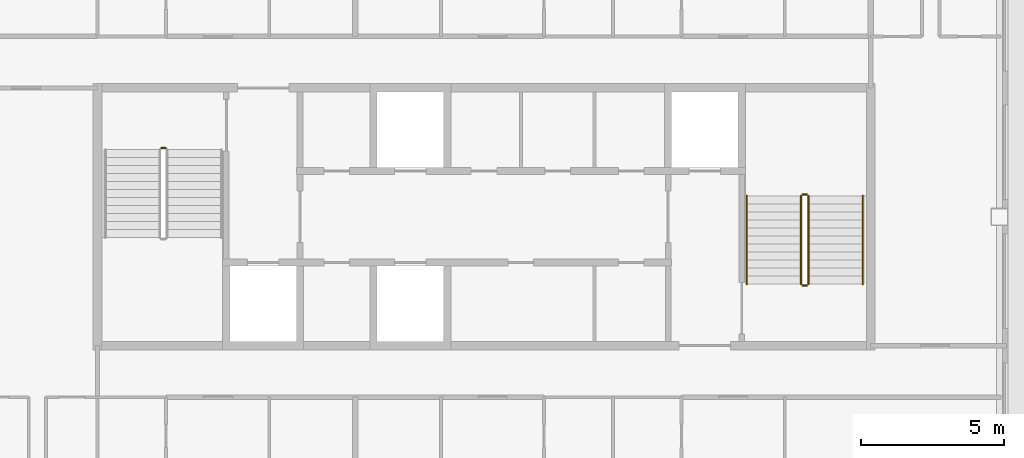
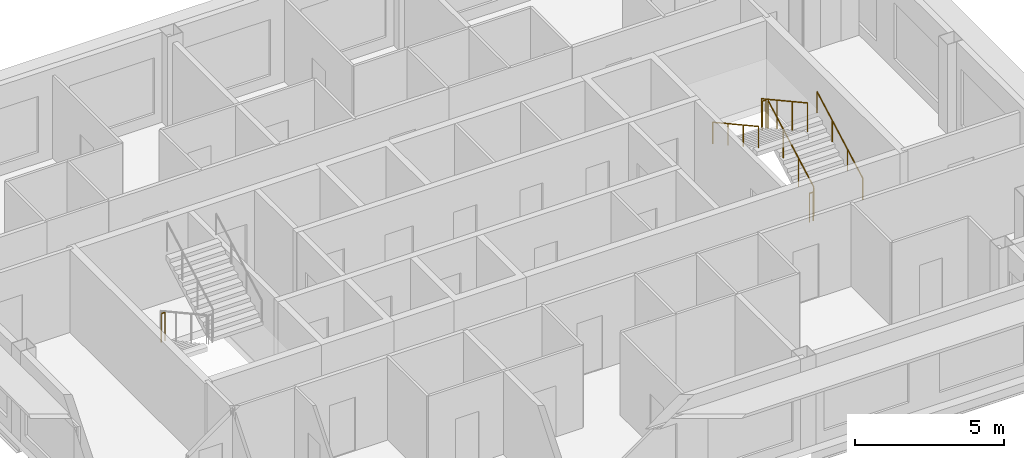
# One storey, part 11 of 11: 7 railings.
"""IFC4 building model written with IfcOpenShell, lengths in metres."""

from ifc_helpers import new_model, si_unit, direction, frame, origin, origin_2d, place, context, subcontext, project, spatial, circle, extrude, material, type_object, element, save


model = new_model("IFC4")

# Units and contexts
model_context = context("Model", 3, precision=1e-05, world=origin(), true_north=direction((0.0, 1.0)))
body_context = subcontext(model_context, "Body", "Model", "MODEL_VIEW")
ifc_project = project(units=[si_unit("LENGTHUNIT", "METRE"), si_unit("AREAUNIT", "SQUARE_METRE"), si_unit("VOLUMEUNIT", "CUBIC_METRE"), si_unit("PLANEANGLEUNIT", "RADIAN"), si_unit("MASSUNIT", "GRAM", prefix="KILO")], contexts=[model_context])

# Site, building, storey
site_placement = place(None, origin())
site = spatial("IfcSite", under=ifc_project, at=site_placement, CompositionType="ELEMENT")
building_placement = place(site_placement, origin())
building = spatial("IfcBuilding", under=site, at=building_placement, Name="Caravel Reach Hotel and Residences", CompositionType="ELEMENT")
storey_placement = place(building_placement, frame((0.0, 0.0, 298.199951171875)))
storey = spatial("IfcBuildingStorey", under=building, at=storey_placement, Name="L76", CompositionType="ELEMENT", Elevation=298.199951171875)

# Railings
ifc_material_1 = material(Name="Steel balustrade with glass infill", Category="steel")
railing_type_1 = type_object("IfcRailingType", Name="Guard 1200", PredefinedType="GUARDRAIL", material=ifc_material_1)
railing_1_placement = place(storey_placement, frame((20.22509765625, 29.39990234375, 0.0)))
element("IfcRailing", 1, at=railing_1_placement, inside=storey, type_object=railing_type_1, Name="L76 ST-A stair guard 4", PredefinedType="GUARDRAIL", context=body_context, shape_type="SweptSolid", body=[
    extrude(circle(Radius=0.02392578125, at=origin_2d()), frame((0.0, 0.0, 1.17578125), z_axis=(1.0, 0.0, 0.0), x_axis=(0.0, 1.0, 0.0)), (0.0, 0.0, 1.0), 0.14990234375),
    extrude(circle(Radius=0.02099609375, at=origin_2d()), origin(), (0.0, 0.0, 1.0), 1.15185546875),
    extrude(circle(Radius=0.02099609375, at=origin_2d()), frame((0.14990234375, 0.0, 0.0)), (0.0, 0.0, 1.0), 1.15185546875),
])
railing_2_placement = place(storey_placement, frame((42.824951171875, 24.64990234375, 0.154296875)))
element("IfcRailing", 2, at=railing_2_placement, inside=storey, type_object=railing_type_1, Name="L76 ST-B stair guard 1", PredefinedType="GUARDRAIL", context=body_context, shape_type="SweptSolid", body=[
    extrude(circle(Radius=0.02392578125, at=origin_2d()), frame((0.0, 0.0, 1.17578125), z_axis=(0.0, 0.876004717809, 0.482302534076), x_axis=(-1.0, 0.0, 0.0)), (0.0, 0.0, 1.0), 3.51611328125),
    extrude(circle(Radius=0.02099609375, at=origin_2d()), origin(), (0.0, 0.0, 1.0), 1.15185546875),
    extrude(circle(Radius=0.02099609375, at=origin_2d()), frame((0.0, 1.026611328125, 0.565185546875)), (0.0, 0.0, 1.0), 1.15185546875),
    extrude(circle(Radius=0.02099609375, at=origin_2d()), frame((0.0, 2.053466796875, 1.130615234375)), (0.0, 0.0, 1.0), 1.15185546875),
    extrude(circle(Radius=0.02099609375, at=origin_2d()), frame((0.0, 3.080078125, 1.69580078125)), (0.0, 0.0, 1.0), 1.15185546875),
])
railing_3_placement = place(storey_placement, frame((42.77490234375, 27.780029296875, 1.85009765625)))
element("IfcRailing", 3, at=railing_3_placement, inside=storey, type_object=railing_type_1, Name="L76 ST-B stair guard 2", PredefinedType="GUARDRAIL", context=body_context, shape_type="SweptSolid", body=[
    extrude(circle(Radius=0.02392578125, at=origin_2d()), frame((0.0, 0.0, 1.17578125), z_axis=(-1.0, 0.0, 0.0), x_axis=(0.0, -1.0, 0.0)), (0.0, 0.0, 1.0), 0.14990234375),
    extrude(circle(Radius=0.02099609375, at=origin_2d()), origin(), (0.0, 0.0, 1.0), 1.15185546875),
    extrude(circle(Radius=0.02099609375, at=origin_2d()), frame((-0.14990234375, 0.0, 0.0)), (0.0, 0.0, 1.0), 1.15185546875),
])
railing_4_placement = place(storey_placement, frame((42.574951171875, 27.72998046875, 2.004150390625)))
element("IfcRailing", 4, at=railing_4_placement, inside=storey, type_object=railing_type_1, Name="L76 ST-B stair guard 3", PredefinedType="GUARDRAIL", context=body_context, shape_type="SweptSolid", body=[
    extrude(circle(Radius=0.02392578125, at=origin_2d()), frame((0.0, 0.0, 1.17578125), z_axis=(0.0, -0.876004717809, 0.482302534076), x_axis=(1.0, 0.0, 0.0)), (0.0, 0.0, 1.0), 3.51611328125),
    extrude(circle(Radius=0.02099609375, at=origin_2d()), origin(), (0.0, 0.0, 1.0), 1.15185546875),
    extrude(circle(Radius=0.02099609375, at=origin_2d()), frame((0.0, -1.026611328125, 0.565185546875)), (0.0, 0.0, 1.0), 1.15185546875),
    extrude(circle(Radius=0.02099609375, at=origin_2d()), frame((0.0, -2.053466796875, 1.130615234375)), (0.0, 0.0, 1.0), 1.15185546875),
    extrude(circle(Radius=0.02099609375, at=origin_2d()), frame((0.0, -3.080078125, 1.69580078125)), (0.0, 0.0, 1.0), 1.15185546875),
])
railing_5_placement = place(storey_placement, frame((42.77490234375, 24.60009765625, 0.0)))
element("IfcRailing", 5, at=railing_5_placement, inside=storey, type_object=railing_type_1, Name="L76 ST-B stair guard 4", PredefinedType="GUARDRAIL", context=body_context, shape_type="SweptSolid", body=[
    extrude(circle(Radius=0.02392578125, at=origin_2d()), frame((0.0, 0.0, 1.17578125), z_axis=(-1.0, 0.0, 0.0), x_axis=(0.0, -1.0, 0.0)), (0.0, 0.0, 1.0), 0.14990234375),
    extrude(circle(Radius=0.02099609375, at=origin_2d()), origin(), (0.0, 0.0, 1.0), 1.15185546875),
    extrude(circle(Radius=0.02099609375, at=origin_2d()), frame((-0.14990234375, 0.0, 0.0)), (0.0, 0.0, 1.0), 1.15185546875),
])
ifc_material_2 = material(Name="Stainless steel handrail", Category="steel")
railing_type_2 = type_object("IfcRailingType", Name="Handrail 900", PredefinedType="HANDRAIL", material=ifc_material_2)
railing_6_placement = place(storey_placement, frame((44.72509765625, 24.64990234375, 0.154296875)))
element("IfcRailing", 6, at=railing_6_placement, inside=storey, type_object=railing_type_2, Name="L76 ST-B stair handrail 1", PredefinedType="HANDRAIL", context=body_context, shape_type="SweptSolid", body=[
    extrude(circle(Radius=0.02392578125, at=origin_2d()), frame((0.0, 0.0, 0.8759765625), z_axis=(0.0, 0.876004717809, 0.482302534076), x_axis=(-1.0, 0.0, 0.0)), (0.0, 0.0, 1.0), 3.51611328125),
    extrude(circle(Radius=0.02099609375, at=origin_2d()), origin(), (0.0, 0.0, 1.0), 0.851806640625),
    extrude(circle(Radius=0.02099609375, at=origin_2d()), frame((0.0, 1.026611328125, 0.565185546875)), (0.0, 0.0, 1.0), 0.851806640625),
    extrude(circle(Radius=0.02099609375, at=origin_2d()), frame((0.0, 2.053466796875, 1.130615234375)), (0.0, 0.0, 1.0), 0.851806640625),
    extrude(circle(Radius=0.02099609375, at=origin_2d()), frame((0.0, 3.080078125, 1.69580078125)), (0.0, 0.0, 1.0), 0.851806640625),
])
railing_7_placement = place(storey_placement, frame((40.675048828125, 27.72998046875, 2.004150390625)))
element("IfcRailing", 7, at=railing_7_placement, inside=storey, type_object=railing_type_2, Name="L76 ST-B stair handrail 2", PredefinedType="HANDRAIL", context=body_context, shape_type="SweptSolid", body=[
    extrude(circle(Radius=0.02392578125, at=origin_2d()), frame((0.0, 0.0, 0.8759765625), z_axis=(0.0, -0.876004717809, 0.482302534076), x_axis=(1.0, 0.0, 0.0)), (0.0, 0.0, 1.0), 3.51611328125),
    extrude(circle(Radius=0.02099609375, at=origin_2d()), origin(), (0.0, 0.0, 1.0), 0.851806640625),
    extrude(circle(Radius=0.02099609375, at=origin_2d()), frame((0.0, -1.026611328125, 0.565185546875)), (0.0, 0.0, 1.0), 0.851806640625),
    extrude(circle(Radius=0.02099609375, at=origin_2d()), frame((0.0, -2.053466796875, 1.130615234375)), (0.0, 0.0, 1.0), 0.851806640625),
    extrude(circle(Radius=0.02099609375, at=origin_2d()), frame((0.0, -3.080078125, 1.69580078125)), (0.0, 0.0, 1.0), 0.851806640625),
])

save(model, "model.ifc")
